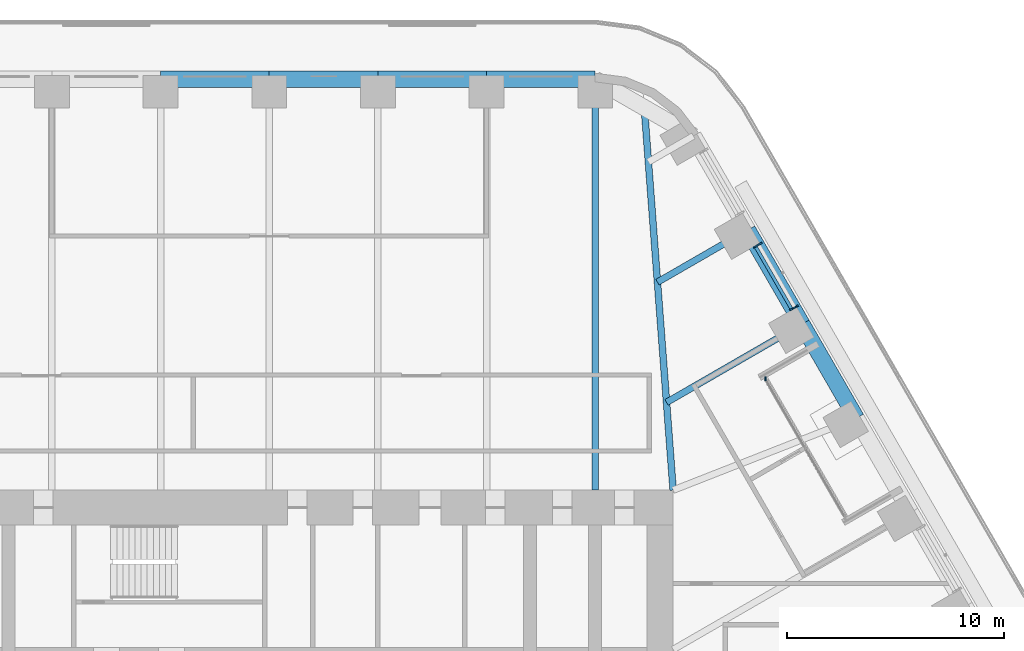
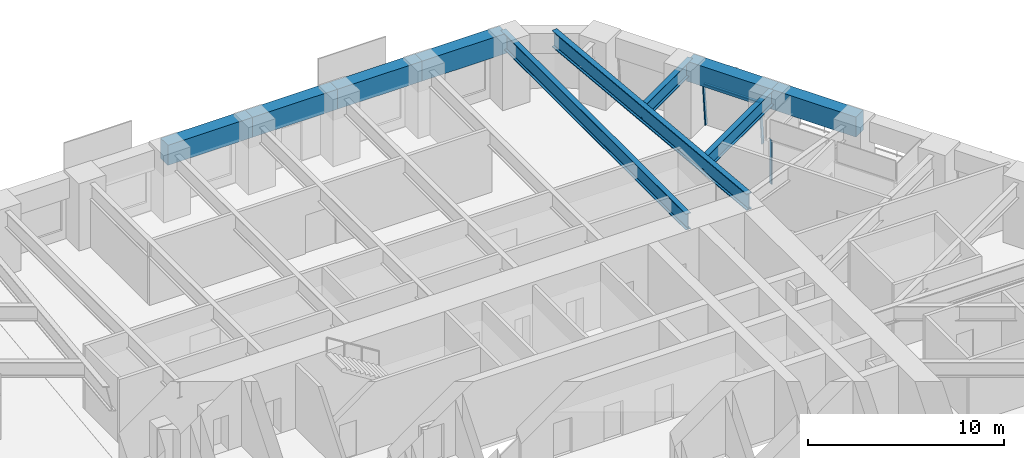
# One storey, part 12 of 24: 10 beams, 4 members, 2 elements without a shape of their own.
"""IFC4 building model written with IfcOpenShell, lengths in metres."""

from ifc_helpers import new_model, si_unit, direction, frame, origin, origin_2d, place, context, subcontext, project, spatial, rectangle, i_section, extrude, material, material_profile, profile_set, type_object, element, aggregate, save


model = new_model("IFC4")

# Units and contexts
model_context = context("Model", 3, precision=1e-05, world=origin(), true_north=direction((0.0, 1.0)))
body_context = subcontext(model_context, "Body", "Model", "MODEL_VIEW")
ifc_project = project(units=[si_unit("LENGTHUNIT", "METRE"), si_unit("AREAUNIT", "SQUARE_METRE"), si_unit("VOLUMEUNIT", "CUBIC_METRE"), si_unit("PLANEANGLEUNIT", "RADIAN"), si_unit("MASSUNIT", "GRAM", prefix="KILO")], contexts=[model_context])

# Site, building, storey
site_placement = place(None, origin())
site = spatial("IfcSite", under=ifc_project, at=site_placement, CompositionType="ELEMENT")
building_placement = place(site_placement, origin())
building = spatial("IfcBuilding", under=site, at=building_placement, Name="Tarfa Lantern Tower", CompositionType="ELEMENT")
storey_placement = place(building_placement, frame((0.0, 0.0, 144.699951171875)))
storey = spatial("IfcBuildingStorey", under=building, at=storey_placement, Name="L32", CompositionType="ELEMENT", Elevation=144.699951171875)

# Curtain wall, members
ifc_material_1 = material(Name="Aluminium framed curtain wall", Category="aluminium")
curtain_wall_type_1 = type_object("IfcCurtainWallType", Name="CW2 CANTED GLAZING MID ZONE 2750", PredefinedType="USERDEFINED", material=ifc_material_1)
curtain_wall_1_placement = place(storey_placement, origin())
curtain_wall_1 = element("IfcCurtainWall", 1, at=curtain_wall_1_placement, inside=storey, type_object=curtain_wall_type_1, Name="CW2 NEB L32", ObjectType="CURTAIN WALL", PredefinedType="USERDEFINED")
ifc_material_2 = material(Name="Aluminium mullion", Category="aluminium")
ifc_material_profile_1 = material_profile(ifc_material_2, rectangle(XDim=0.06494140625, YDim=0.199951171875, at=origin_2d()), Name="AL MULLION 65x200")
ifc_profile_set_1 = profile_set([ifc_material_profile_1], Name="Aluminium mullion")
member_type_1 = type_object("IfcMemberType", Name="CWM1 MULLION 65x200", PredefinedType="MULLION", material=ifc_profile_set_1)
member_1_placement = place(storey_placement, frame((24.275146484375, 20.75439453125, 0.0), z_axis=(-0.078422950161, -0.045267813396, 0.995891894715), x_axis=(0.499919672301, -0.866071776036, 0.0)))
member_1 = element("IfcMember", 2, at=member_1_placement, type_object=member_type_1, Name="CW2 mullion 1", PredefinedType="MULLION", context=body_context, shape_type="SweptSolid", body=[
    extrude(rectangle(XDim=0.06494140625, YDim=0.199951171875, at=origin_2d()), origin(), (0.0, 0.0, 1.0), 2.76123046875),
])
member_2_placement = place(storey_placement, frame((22.605712890625, 23.645751953125, 0.0), z_axis=(-0.078422950161, -0.045267813396, 0.995891894715), x_axis=(0.499919672301, -0.866071776036, 0.0)))
member_2 = element("IfcMember", 3, at=member_2_placement, type_object=member_type_1, Name="CW2 mullion 2", PredefinedType="MULLION", context=body_context, shape_type="SweptSolid", body=[
    extrude(rectangle(XDim=0.06494140625, YDim=0.199951171875, at=origin_2d()), origin(), (0.0, 0.0, 1.0), 2.76123046875),
])

# Curtain wall, member
curtain_wall_type_2 = type_object("IfcCurtainWallType", Name="CW10 LOGGIA GLAZING 2750", PredefinedType="USERDEFINED", material=ifc_material_1)
curtain_wall_2_placement = place(storey_placement, origin())
curtain_wall_2 = element("IfcCurtainWall", 4, at=curtain_wall_2_placement, inside=storey, type_object=curtain_wall_type_2, Name="CW10 NEL L32", ObjectType="CURTAIN WALL", PredefinedType="USERDEFINED")
member_3_placement = place(storey_placement, frame((22.84619140625, 17.429443359375, 0.0), z_axis=(0.0, 0.0, 1.0), x_axis=(1.0, 0.0, 0.0)))
member_3 = element("IfcMember", 5, at=member_3_placement, type_object=member_type_1, Name="CW10 mullion 3", PredefinedType="MULLION", context=body_context, shape_type="SweptSolid", body=[
    extrude(rectangle(XDim=0.06494140625, YDim=0.199951171875, at=origin_2d()), origin(), (0.0, 0.0, 1.0), 2.75),
])
aggregate(curtain_wall_2, [member_3])

# Member
ifc_material_3 = material(Name="Aluminium transom", Category="aluminium")
ifc_material_profile_2 = material_profile(ifc_material_3, rectangle(XDim=0.14990234375, YDim=0.06494140625, at=origin_2d()), Name="AL TRANSOM 150x65")
ifc_profile_set_2 = profile_set([ifc_material_profile_2], Name="Aluminium transom")
member_type_2 = type_object("IfcMemberType", Name="CWT1 TRANSOM 150x65", PredefinedType="USERDEFINED", material=ifc_profile_set_2)
member_4_placement = place(storey_placement, frame((24.044921875, 20.658935546875, 2.717529296875), z_axis=(-0.500012937857, 0.86601793398, 0.0), x_axis=(-0.86601793398, -0.500012937857, 0.0)))
member_4 = element("IfcMember", 6, at=member_4_placement, type_object=member_type_2, Name="CW2 transom 1.2", ObjectType="TRANSOM", PredefinedType="USERDEFINED", context=body_context, shape_type="SweptSolid", body=[
    extrude(rectangle(XDim=0.14990234375, YDim=0.06494140625, at=origin_2d()), origin(), (0.0, 0.0, 1.0), 3.27392578125),
])

aggregate(curtain_wall_1, [member_1, member_2, member_4])

# Beams
ifc_material_4 = material(Name="Concrete C80/95", Category="concrete")
ifc_material_profile_3 = material_profile(ifc_material_4, rectangle(XDim=0.75, YDim=1.25, at=origin_2d()), Name="RC 750x1250")
ifc_profile_set_3 = profile_set([ifc_material_profile_3], Name="Concrete C80/95")
beam_type_1 = type_object("IfcBeamType", Name="EB2 RC 750x1250", PredefinedType="SPANDREL", material=ifc_profile_set_3)
for number, where, z_axis, x_axis, name in (
    (7, (27.037353515625, 15.610107421875, 3.375), (-0.500022324899, 0.866012514114, 0.0), (-0.866012514114, -0.500022324899, 0.0), "Edge beam NE3"),
    (8, (24.535400390625, 19.943359375, 3.375), (-0.49998573051, 0.866033642122, 0.0), (-0.866033642122, -0.49998573051, 0.0), "Edge beam NE4"),
    (9, (15.010986328125, 31.219970703125, 3.375), (-1.0, 0.0, 0.0), (0.0, -1.0, 0.0), "Edge beam N0"),
    (10, (10.00732421875, 31.219970703125, 3.375), (-1.0, 0.0, 0.0), (0.0, -1.0, 0.0), "Edge beam N1"),
    (11, (5.003662109375, 31.219970703125, 3.375), (-1.0, 0.0, 0.0), (0.0, -1.0, 0.0), "Edge beam N2"),
    (12, (0.0, 31.219970703125, 3.375), (-1.0, 0.0, 0.0), (0.0, -1.0, 0.0), "Edge beam N3"),
):
    element("IfcBeam", number, at=place(storey_placement, frame(where, z_axis=z_axis, x_axis=x_axis)), inside=storey, type_object=beam_type_1, Name=name, PredefinedType="SPANDREL", context=body_context, shape_type="SweptSolid", body=[
        extrude(rectangle(XDim=0.75, YDim=1.25, at=origin_2d()), origin(), (0.0, 0.0, 1.0), 5.003662109375),
    ])
ifc_material_5 = material(Name="Steel S460M", Category="steel")
ifc_material_profile_4 = material_profile(ifc_material_5, i_section(OverallWidth=0.302001953125, OverallDepth=1.008056640625, WebThickness=0.02099609375, FlangeThickness=0.0400390625, FilletRadius=0.030029296875, at=origin_2d()), Name="UB1016x305x349")
ifc_profile_set_4 = profile_set([ifc_material_profile_4], Name="Steel S460M")
beam_type_2 = type_object("IfcBeamType", Name="UB1016x305x349", PredefinedType="BEAM", material=ifc_profile_set_4)
beam_1_placement = place(storey_placement, frame((15.010986328125, 31.219970703125, 3.49609375), z_axis=(0.0, -1.0, 0.0), x_axis=(1.0, 0.0, 0.0)))
element("IfcBeam", 13, at=beam_1_placement, inside=storey, type_object=beam_type_2, Name="Floor beam N0", PredefinedType="BEAM", context=body_context, shape_type="SweptSolid", body=[
    extrude(i_section(OverallWidth=0.302001953125, OverallDepth=1.008056640625, WebThickness=0.02099609375, FlangeThickness=0.0400390625, FilletRadius=0.030029296875, at=origin_2d()), origin(), (0.0, 0.0, 1.0), 18.919921875),
])
ifc_material_profile_5 = material_profile(ifc_material_5, i_section(OverallWidth=0.30859375, OverallDepth=1.036376953125, WebThickness=0.030029296875, FlangeThickness=0.05419921875, FilletRadius=0.030029296875, at=origin_2d()), Name="UB1016x305x487")
ifc_profile_set_5 = profile_set([ifc_material_profile_5], Name="Steel S460M")
beam_type_3 = type_object("IfcBeamType", Name="UB1016x305x487", PredefinedType="BEAM", material=ifc_profile_set_5)
beam_2_placement = place(storey_placement, frame((18.60009765625, 12.300048828125, 3.48193359375), z_axis=(-0.075211516041, 0.99716760269, 0.0), x_axis=(-0.99716760269, -0.075211516041, 0.0)))
element("IfcBeam", 14, at=beam_2_placement, inside=storey, type_object=beam_type_3, Name="Hip girder NE", PredefinedType="BEAM", context=body_context, shape_type="SweptSolid", body=[
    extrude(i_section(OverallWidth=0.30859375, OverallDepth=1.036376953125, WebThickness=0.030029296875, FlangeThickness=0.05419921875, FilletRadius=0.030029296875, at=origin_2d()), origin(), (0.0, 0.0, 1.0), 17.6650390625),
])
ifc_material_profile_6 = material_profile(ifc_material_5, i_section(OverallWidth=0.305419921875, OverallDepth=0.91845703125, WebThickness=0.017333984375, FlangeThickness=0.02783203125, FilletRadius=0.01904296875, at=origin_2d()), Name="UB914x305x253")
ifc_profile_set_6 = profile_set([ifc_material_profile_6], Name="Steel S460M")
beam_type_4 = type_object("IfcBeamType", Name="UB914x305x253", PredefinedType="BEAM", material=ifc_profile_set_6)
beam_3_placement = place(storey_placement, frame((24.535400390625, 19.943359375, 3.540771484375), z_axis=(-0.86602647304, -0.499998147991, 0.0), x_axis=(0.499998147991, -0.86602647304, 0.0)))
element("IfcBeam", 15, at=beam_3_placement, inside=storey, type_object=beam_type_4, Name="Floor beam NE4", PredefinedType="BEAM", context=body_context, shape_type="SweptSolid", body=[
    extrude(i_section(OverallWidth=0.305419921875, OverallDepth=0.91845703125, WebThickness=0.017333984375, FlangeThickness=0.02783203125, FilletRadius=0.01904296875, at=origin_2d()), origin(), (0.0, 0.0, 1.0), 7.20556640625),
])
beam_4_placement = place(storey_placement, frame((22.03369140625, 24.276611328125, 3.540771484375), z_axis=(-0.866030550462, -0.499991085587, 0.0), x_axis=(0.499991085587, -0.866030550462, 0.0)))
element("IfcBeam", 16, at=beam_4_placement, inside=storey, type_object=beam_type_4, Name="Floor beam NE5", PredefinedType="BEAM", context=body_context, shape_type="SweptSolid", body=[
    extrude(i_section(OverallWidth=0.305419921875, OverallDepth=0.91845703125, WebThickness=0.017333984375, FlangeThickness=0.02783203125, FilletRadius=0.01904296875, at=origin_2d()), origin(), (0.0, 0.0, 1.0), 4.798828125),
])

save(model, "model.ifc")
